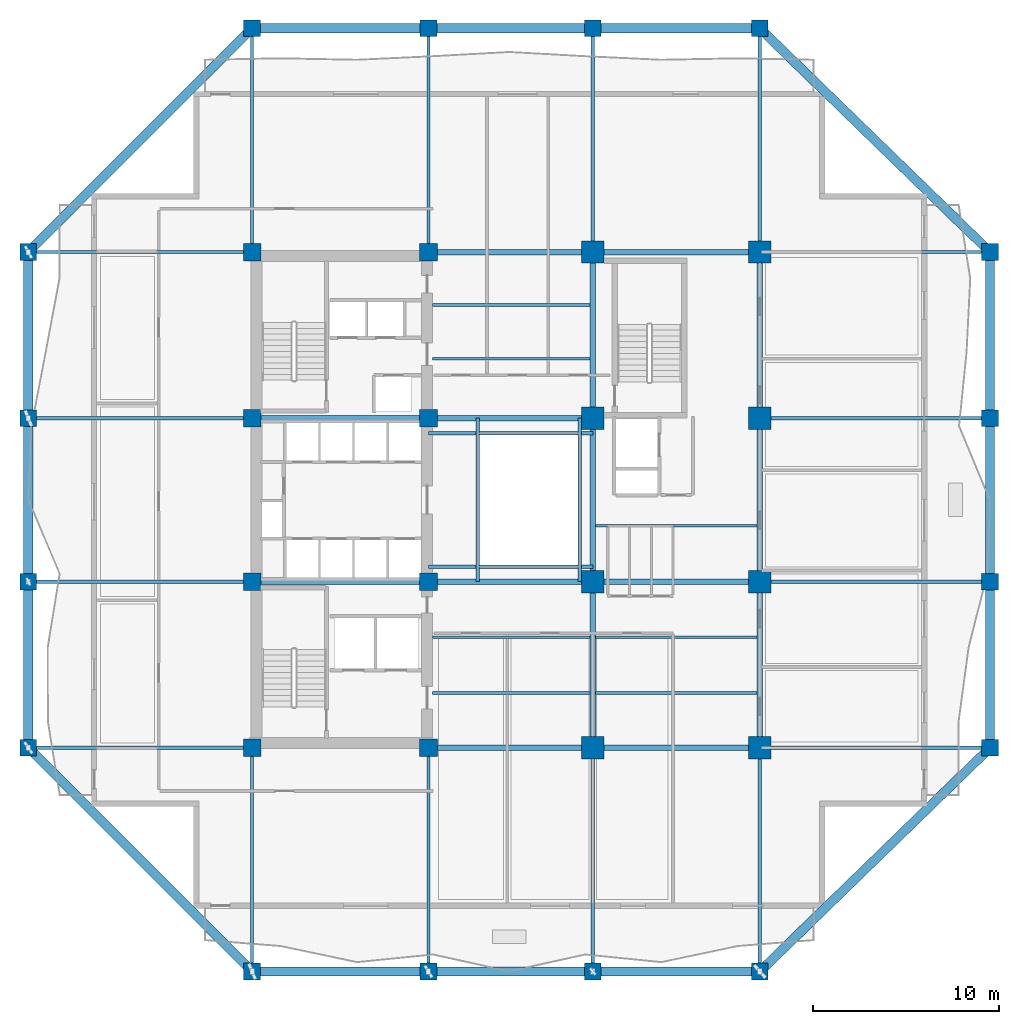
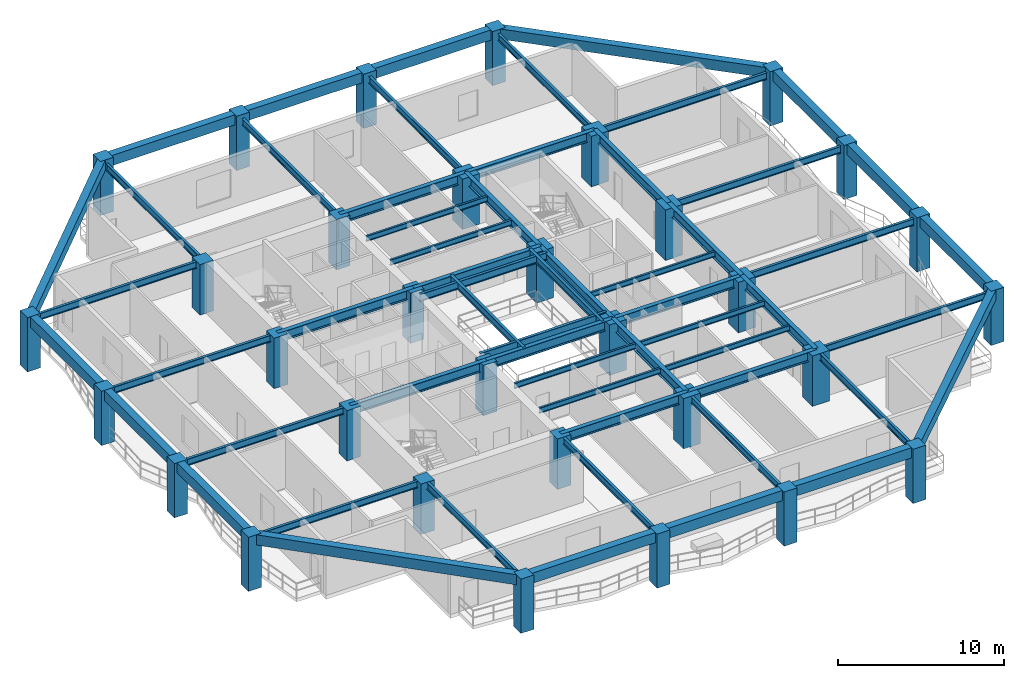
# One storey, part 1 of 13: 58 beams, 32 columns.
"""IFC4 building model written with IfcOpenShell, lengths in metres."""

from ifc_helpers import new_model, si_unit, direction, frame, origin, origin_2d, place, context, subcontext, project, spatial, rectangle, i_section, extrude, material, material_profile, profile_set, type_object, element, save


model = new_model("IFC4")

# Units and contexts
model_context = context("Model", 3, precision=1e-05, world=origin(), true_north=direction((0.0, 1.0)))
body_context = subcontext(model_context, "Body", "Model", "MODEL_VIEW")
ifc_project = project(units=[si_unit("LENGTHUNIT", "METRE"), si_unit("AREAUNIT", "SQUARE_METRE"), si_unit("VOLUMEUNIT", "CUBIC_METRE"), si_unit("PLANEANGLEUNIT", "RADIAN"), si_unit("MASSUNIT", "GRAM", prefix="KILO")], contexts=[model_context])

# Site, building, storey
site_placement = place(None, origin())
site = spatial("IfcSite", under=ifc_project, at=site_placement, CompositionType="ELEMENT")
building_placement = place(site_placement, origin())
building = spatial("IfcBuilding", under=site, at=building_placement, Name="Kundavana Baori Tower", CompositionType="ELEMENT")
storey_placement = place(building_placement, frame((0.0, 0.0, 54.0)))
storey = spatial("IfcBuildingStorey", under=building, at=storey_placement, Name="L12", CompositionType="ELEMENT", Elevation=54.0)

# Columns
ifc_material_1 = material(Name="Concrete C60/75", Category="concrete")
ifc_material_profile_1 = material_profile(ifc_material_1, rectangle(XDim=0.89990234375, YDim=0.89990234375, at=origin_2d()), Name="RC PF 900x900")
ifc_profile_set_1 = profile_set([ifc_material_profile_1], Name="Concrete C60/75")
column_type_1 = type_object("IfcColumnType", Name="COL-PF-900", PredefinedType="COLUMN", material=ifc_profile_set_1)
for number, where, z_axis, x_axis, name in (
    (1, (15.449951171875, 3.199951171875, 0.0), (0.0, 0.0, 1.0), (1.0, 0.0, 0.0), "L12 Stone-Clad Perimeter Frame Column PF-S1"),
    (2, (15.449951171875, 54.0, 0.0), (0.0, 0.0, 1.0), (1.0, 0.0, 0.0), "L12 Stone-Clad Perimeter Frame Column PF-N1"),
    (3, (24.949951171875, 3.199951171875, 0.0), (0.0, 0.0, 1.0), (1.0, 0.0, 0.0), "L12 Stone-Clad Perimeter Frame Column PF-S2"),
    (4, (24.949951171875, 54.0, 0.0), (0.0, 0.0, 1.0), (1.0, 0.0, 0.0), "L12 Stone-Clad Perimeter Frame Column PF-N2"),
    (5, (33.800048828125, 3.199951171875, 0.0), (0.0, 0.0, 1.0), (1.0, 0.0, 0.0), "L12 Stone-Clad Perimeter Frame Column PF-S3"),
    (6, (33.800048828125, 54.0, 0.0), (0.0, 0.0, 1.0), (1.0, 0.0, 0.0), "L12 Stone-Clad Perimeter Frame Column PF-N3"),
    (7, (42.800048828125, 3.199951171875, 0.0), (0.0, 0.0, 1.0), (1.0, 0.0, 0.0), "L12 Stone-Clad Perimeter Frame Column PF-S4"),
    (8, (42.800048828125, 54.0, 0.0), (0.0, 0.0, 1.0), (1.0, 0.0, 0.0), "L12 Stone-Clad Perimeter Frame Column PF-N4"),
    (9, (3.39990234375, 15.25, 0.0), (0.0, 0.0, 1.0), (1.0, 0.0, 0.0), "L12 Stone-Clad Perimeter Frame Column PF-W1"),
    (10, (55.199951171875, 15.25, 0.0), (0.0, 0.0, 1.0), (1.0, 0.0, 0.0), "L12 Stone-Clad Perimeter Frame Column PF-E1"),
    (11, (3.39990234375, 24.199951171875, 0.0), (0.0, 0.0, 1.0), (1.0, 0.0, 0.0), "L12 Stone-Clad Perimeter Frame Column PF-W2"),
    (12, (55.199951171875, 24.199951171875, 0.0), (0.0, 0.0, 1.0), (1.0, 0.0, 0.0), "L12 Stone-Clad Perimeter Frame Column PF-E2"),
    (13, (3.39990234375, 33.0, 0.0), (0.0, 0.0, 1.0), (1.0, 0.0, 0.0), "L12 Stone-Clad Perimeter Frame Column PF-W3"),
    (14, (55.199951171875, 33.0, 0.0), (0.0, 0.0, 1.0), (1.0, 0.0, 0.0), "L12 Stone-Clad Perimeter Frame Column PF-E3"),
    (15, (3.39990234375, 41.949951171875, 0.0), (0.0, 0.0, 1.0), (1.0, 0.0, 0.0), "L12 Stone-Clad Perimeter Frame Column PF-W4"),
    (16, (55.199951171875, 41.949951171875, 0.0), (0.0, 0.0, 1.0), (1.0, 0.0, 0.0), "L12 Stone-Clad Perimeter Frame Column PF-E4"),
):
    element("IfcColumn", number, at=place(storey_placement, frame(where, z_axis=z_axis, x_axis=x_axis)), inside=storey, type_object=column_type_1, Name=name, PredefinedType="COLUMN", context=body_context, shape_type="SweptSolid", body=[
        extrude(rectangle(XDim=0.89990234375, YDim=0.89990234375, at=origin_2d()), origin(), (0.0, 0.0, 1.0), 4.0),
    ])
ifc_material_2 = material(Name="Concrete C60/75", Category="concrete")
ifc_material_profile_2 = material_profile(ifc_material_2, rectangle(XDim=1.199951171875, YDim=1.199951171875, at=origin_2d()), Name="RC 1200x1200")
ifc_profile_set_2 = profile_set([ifc_material_profile_2], Name="Concrete C60/75")
column_type_2 = type_object("IfcColumnType", Name="COL-RC-1200", PredefinedType="COLUMN", material=ifc_profile_set_2)
for number, where, z_axis, x_axis, name in (
    (17, (33.800048828125, 15.25, 0.0), (0.0, 0.0, 1.0), (1.0, 0.0, 0.0), "L12 Interior Column IC-5C"),
    (18, (33.800048828125, 24.199951171875, 0.0), (0.0, 0.0, 1.0), (1.0, 0.0, 0.0), "L12 Interior Column IC-5D"),
    (19, (33.800048828125, 33.0, 0.0), (0.0, 0.0, 1.0), (1.0, 0.0, 0.0), "L12 Interior Column IC-5E"),
    (20, (33.800048828125, 41.949951171875, 0.0), (0.0, 0.0, 1.0), (1.0, 0.0, 0.0), "L12 Interior Column IC-5F"),
    (21, (42.800048828125, 15.25, 0.0), (0.0, 0.0, 1.0), (1.0, 0.0, 0.0), "L12 Interior Column IC-6C"),
    (22, (42.800048828125, 24.199951171875, 0.0), (0.0, 0.0, 1.0), (1.0, 0.0, 0.0), "L12 Interior Column IC-6D"),
    (23, (42.800048828125, 33.0, 0.0), (0.0, 0.0, 1.0), (1.0, 0.0, 0.0), "L12 Interior Column IC-6E"),
    (24, (42.800048828125, 41.949951171875, 0.0), (0.0, 0.0, 1.0), (1.0, 0.0, 0.0), "L12 Interior Column IC-6F"),
):
    element("IfcColumn", number, at=place(storey_placement, frame(where, z_axis=z_axis, x_axis=x_axis)), inside=storey, type_object=column_type_2, Name=name, PredefinedType="COLUMN", context=body_context, shape_type="SweptSolid", body=[
        extrude(rectangle(XDim=1.199951171875, YDim=1.199951171875, at=origin_2d()), origin(), (0.0, 0.0, 1.0), 3.719970703125),
    ])
ifc_material_3 = material(Name="Concrete C50/60", Category="concrete")
ifc_material_profile_3 = material_profile(ifc_material_3, rectangle(XDim=0.949951171875, YDim=0.949951171875, at=origin_2d()), Name="RC 950x950")
ifc_profile_set_3 = profile_set([ifc_material_profile_3], Name="Concrete C50/60")
column_type_3 = type_object("IfcColumnType", Name="COL-RC-950", PredefinedType="COLUMN", material=ifc_profile_set_3)
for number, where, z_axis, x_axis, name in (
    (25, (15.449951171875, 15.25, 0.0), (0.0, 0.0, 1.0), (1.0, 0.0, 0.0), "L12 Interior Column IC-3C"),
    (26, (15.449951171875, 24.199951171875, 0.0), (0.0, 0.0, 1.0), (1.0, 0.0, 0.0), "L12 Interior Column IC-3D"),
    (27, (15.449951171875, 33.0, 0.0), (0.0, 0.0, 1.0), (1.0, 0.0, 0.0), "L12 Interior Column IC-3E"),
    (28, (15.449951171875, 41.949951171875, 0.0), (0.0, 0.0, 1.0), (1.0, 0.0, 0.0), "L12 Interior Column IC-3F"),
    (29, (24.949951171875, 15.25, 0.0), (0.0, 0.0, 1.0), (1.0, 0.0, 0.0), "L12 Interior Column IC-4C"),
    (30, (24.949951171875, 24.199951171875, 0.0), (0.0, 0.0, 1.0), (1.0, 0.0, 0.0), "L12 Interior Column IC-4D"),
    (31, (24.949951171875, 33.0, 0.0), (0.0, 0.0, 1.0), (1.0, 0.0, 0.0), "L12 Interior Column IC-4E"),
    (32, (24.949951171875, 41.949951171875, 0.0), (0.0, 0.0, 1.0), (1.0, 0.0, 0.0), "L12 Interior Column IC-4F"),
):
    element("IfcColumn", number, at=place(storey_placement, frame(where, z_axis=z_axis, x_axis=x_axis)), inside=storey, type_object=column_type_3, Name=name, PredefinedType="COLUMN", context=body_context, shape_type="SweptSolid", body=[
        extrude(rectangle(XDim=0.949951171875, YDim=0.949951171875, at=origin_2d()), origin(), (0.0, 0.0, 1.0), 3.719970703125),
    ])

# Beams
ifc_material_4 = material(Name="Structural Steel S355JR", Category="steel")
ifc_material_profile_4 = material_profile(ifc_material_4, i_section(OverallWidth=0.139892578125, OverallDepth=0.39990234375, WebThickness=0.0087890625, FlangeThickness=0.01611328125, FilletRadius=0.013916015625, at=origin_2d()), Name="ISMB 400")
ifc_profile_set_4 = profile_set([ifc_material_profile_4], Name="Structural Steel S355JR")
beam_type_1 = type_object("IfcBeamType", Name="BM-JST-400", PredefinedType="JOIST", material=ifc_profile_set_4)
for number, where, z_axis, x_axis, name in (
    (33, (25.179931640625, 18.199951171875, 3.52001953125), (1.0, 0.0, 0.0), (0.0, 1.0, 0.0), "L12 Central Bay Composite Floor Joist C1"),
    (34, (25.179931640625, 21.199951171875, 3.52001953125), (1.0, 0.0, 0.0), (0.0, 1.0, 0.0), "L12 Central Bay Composite Floor Joist C2"),
    (35, (25.179931640625, 36.199951171875, 3.52001953125), (1.0, 0.0, 0.0), (0.0, 1.0, 0.0), "L12 Central Bay Composite Floor Joist C3"),
    (36, (25.179931640625, 39.10009765625, 3.52001953125), (1.0, 0.0, 0.0), (0.0, 1.0, 0.0), "L12 Central Bay Composite Floor Joist C4"),
):
    element("IfcBeam", number, at=place(storey_placement, frame(where, z_axis=z_axis, x_axis=x_axis)), inside=storey, type_object=beam_type_1, Name=name, PredefinedType="JOIST", context=body_context, shape_type="SweptSolid", body=[
        extrude(i_section(OverallWidth=0.139892578125, OverallDepth=0.39990234375, WebThickness=0.0087890625, FlangeThickness=0.01611328125, FilletRadius=0.013916015625, at=origin_2d()), origin(), (0.0, 0.0, 1.0), 8.469970703125),
    ])
for number, where, z_axis, x_axis, name in (
    (37, (33.949951171875, 18.199951171875, 3.52001953125), (1.0, 0.0, 0.0), (0.0, 1.0, 0.0), "L12 East Bay Composite Floor Joist E1"),
    (38, (33.949951171875, 21.199951171875, 3.52001953125), (1.0, 0.0, 0.0), (0.0, 1.0, 0.0), "L12 East Bay Composite Floor Joist E2"),
    (39, (33.949951171875, 27.199951171875, 3.52001953125), (1.0, 0.0, 0.0), (0.0, 1.0, 0.0), "L12 East Bay Composite Floor Joist E3"),
):
    element("IfcBeam", number, at=place(storey_placement, frame(where, z_axis=z_axis, x_axis=x_axis)), inside=storey, type_object=beam_type_1, Name=name, PredefinedType="JOIST", context=body_context, shape_type="SweptSolid", body=[
        extrude(i_section(OverallWidth=0.139892578125, OverallDepth=0.39990234375, WebThickness=0.0087890625, FlangeThickness=0.01611328125, FilletRadius=0.013916015625, at=origin_2d()), origin(), (0.0, 0.0, 1.0), 8.699951171875),
    ])
ifc_material_5 = material(Name="Concrete C50/60", Category="concrete")
ifc_material_profile_5 = material_profile(ifc_material_5, rectangle(XDim=0.5, YDim=0.75, at=origin_2d()), Name="RC BM 500x750")
ifc_profile_set_5 = profile_set([ifc_material_profile_5], Name="Concrete C50/60")
beam_type_2 = type_object("IfcBeamType", Name="BM-PF-750", PredefinedType="SPANDREL", material=ifc_profile_set_5)
beam_1_placement = place(storey_placement, frame((15.449951171875, 3.199951171875, 3.625), z_axis=(1.0, 0.0, 0.0), x_axis=(0.0, 1.0, 0.0)))
element("IfcBeam", 40, at=beam_1_placement, inside=storey, type_object=beam_type_2, Name="L12 Perimeter Frame Ring Beam S1", PredefinedType="SPANDREL", context=body_context, shape_type="SweptSolid", body=[
    extrude(rectangle(XDim=0.5, YDim=0.75, at=origin_2d()), origin(), (0.0, 0.0, 1.0), 9.5),
])
beam_2_placement = place(storey_placement, frame((24.949951171875, 3.199951171875, 3.625), z_axis=(1.0, 0.0, 0.0), x_axis=(0.0, 1.0, 0.0)))
element("IfcBeam", 41, at=beam_2_placement, inside=storey, type_object=beam_type_2, Name="L12 Perimeter Frame Ring Beam S2", PredefinedType="SPANDREL", context=body_context, shape_type="SweptSolid", body=[
    extrude(rectangle(XDim=0.5, YDim=0.75, at=origin_2d()), origin(), (0.0, 0.0, 1.0), 8.85009765625),
])
beam_3_placement = place(storey_placement, frame((33.800048828125, 3.199951171875, 3.625), z_axis=(1.0, 0.0, 0.0), x_axis=(0.0, 1.0, 0.0)))
element("IfcBeam", 42, at=beam_3_placement, inside=storey, type_object=beam_type_2, Name="L12 Perimeter Frame Ring Beam S3", PredefinedType="SPANDREL", context=body_context, shape_type="SweptSolid", body=[
    extrude(rectangle(XDim=0.5, YDim=0.75, at=origin_2d()), origin(), (0.0, 0.0, 1.0), 9.0),
])
beam_4_placement = place(storey_placement, frame((15.449951171875, 54.0, 3.625), z_axis=(1.0, 0.0, 0.0), x_axis=(0.0, 1.0, 0.0)))
element("IfcBeam", 43, at=beam_4_placement, inside=storey, type_object=beam_type_2, Name="L12 Perimeter Frame Ring Beam N1", PredefinedType="SPANDREL", context=body_context, shape_type="SweptSolid", body=[
    extrude(rectangle(XDim=0.5, YDim=0.75, at=origin_2d()), origin(), (0.0, 0.0, 1.0), 9.5),
])
beam_5_placement = place(storey_placement, frame((24.949951171875, 54.0, 3.625), z_axis=(1.0, 0.0, 0.0), x_axis=(0.0, 1.0, 0.0)))
element("IfcBeam", 44, at=beam_5_placement, inside=storey, type_object=beam_type_2, Name="L12 Perimeter Frame Ring Beam N2", PredefinedType="SPANDREL", context=body_context, shape_type="SweptSolid", body=[
    extrude(rectangle(XDim=0.5, YDim=0.75, at=origin_2d()), origin(), (0.0, 0.0, 1.0), 8.85009765625),
])
beam_6_placement = place(storey_placement, frame((33.800048828125, 54.0, 3.625), z_axis=(1.0, 0.0, 0.0), x_axis=(0.0, 1.0, 0.0)))
element("IfcBeam", 45, at=beam_6_placement, inside=storey, type_object=beam_type_2, Name="L12 Perimeter Frame Ring Beam N3", PredefinedType="SPANDREL", context=body_context, shape_type="SweptSolid", body=[
    extrude(rectangle(XDim=0.5, YDim=0.75, at=origin_2d()), origin(), (0.0, 0.0, 1.0), 9.0),
])
beam_7_placement = place(storey_placement, frame((3.39990234375, 15.25, 3.625), z_axis=(0.0, 1.0, 0.0), x_axis=(-1.0, 0.0, 0.0)))
element("IfcBeam", 46, at=beam_7_placement, inside=storey, type_object=beam_type_2, Name="L12 Perimeter Frame Ring Beam W1", PredefinedType="SPANDREL", context=body_context, shape_type="SweptSolid", body=[
    extrude(rectangle(XDim=0.5, YDim=0.75, at=origin_2d()), origin(), (0.0, 0.0, 1.0), 8.949951171875),
])
beam_8_placement = place(storey_placement, frame((3.39990234375, 24.199951171875, 3.625), z_axis=(0.0, 1.0, 0.0), x_axis=(-1.0, 0.0, 0.0)))
element("IfcBeam", 47, at=beam_8_placement, inside=storey, type_object=beam_type_2, Name="L12 Perimeter Frame Ring Beam W2", PredefinedType="SPANDREL", context=body_context, shape_type="SweptSolid", body=[
    extrude(rectangle(XDim=0.5, YDim=0.75, at=origin_2d()), origin(), (0.0, 0.0, 1.0), 8.800048828125),
])
for number, where, z_axis, x_axis, name in (
    (48, (3.39990234375, 33.0, 3.625), (0.0, 1.0, 0.0), (-1.0, 0.0, 0.0), "L12 Perimeter Frame Ring Beam W3"),
    (49, (55.199951171875, 15.25, 3.625), (0.0, 1.0, 0.0), (-1.0, 0.0, 0.0), "L12 Perimeter Frame Ring Beam E1"),
):
    element("IfcBeam", number, at=place(storey_placement, frame(where, z_axis=z_axis, x_axis=x_axis)), inside=storey, type_object=beam_type_2, Name=name, PredefinedType="SPANDREL", context=body_context, shape_type="SweptSolid", body=[
        extrude(rectangle(XDim=0.5, YDim=0.75, at=origin_2d()), origin(), (0.0, 0.0, 1.0), 8.949951171875),
    ])
beam_9_placement = place(storey_placement, frame((55.199951171875, 24.199951171875, 3.625), z_axis=(0.0, 1.0, 0.0), x_axis=(-1.0, 0.0, 0.0)))
element("IfcBeam", 50, at=beam_9_placement, inside=storey, type_object=beam_type_2, Name="L12 Perimeter Frame Ring Beam E2", PredefinedType="SPANDREL", context=body_context, shape_type="SweptSolid", body=[
    extrude(rectangle(XDim=0.5, YDim=0.75, at=origin_2d()), origin(), (0.0, 0.0, 1.0), 8.800048828125),
])
beam_10_placement = place(storey_placement, frame((55.199951171875, 33.0, 3.625), z_axis=(0.0, 1.0, 0.0), x_axis=(-1.0, 0.0, 0.0)))
element("IfcBeam", 51, at=beam_10_placement, inside=storey, type_object=beam_type_2, Name="L12 Perimeter Frame Ring Beam E3", PredefinedType="SPANDREL", context=body_context, shape_type="SweptSolid", body=[
    extrude(rectangle(XDim=0.5, YDim=0.75, at=origin_2d()), origin(), (0.0, 0.0, 1.0), 8.949951171875),
])
beam_11_placement = place(storey_placement, frame((15.449951171875, 3.199951171875, 3.625), z_axis=(-0.707106781187, 0.707106781187, 0.0), x_axis=(-0.707106781187, -0.707106781187, 0.0)))
element("IfcBeam", 52, at=beam_11_placement, inside=storey, type_object=beam_type_2, Name="L12 Notched Corner Perimeter Beam SW", PredefinedType="SPANDREL", context=body_context, shape_type="SweptSolid", body=[
    extrude(rectangle(XDim=0.5, YDim=0.75, at=origin_2d()), origin(), (0.0, 0.0, 1.0), 17.041259765625),
])
beam_12_placement = place(storey_placement, frame((42.800048828125, 3.199951171875, 3.625), z_axis=(0.717151334594, 0.696917472367, 0.0), x_axis=(-0.696917472367, 0.717151334594, 0.0)))
element("IfcBeam", 53, at=beam_12_placement, inside=storey, type_object=beam_type_2, Name="L12 Notched Corner Perimeter Beam SE", PredefinedType="SPANDREL", context=body_context, shape_type="SweptSolid", body=[
    extrude(rectangle(XDim=0.5, YDim=0.75, at=origin_2d()), origin(), (0.0, 0.0, 1.0), 17.29052734375),
])
beam_13_placement = place(storey_placement, frame((15.449951171875, 54.0, 3.625), z_axis=(-0.707106781187, -0.707106781187, 0.0), x_axis=(0.707106781187, -0.707106781187, 0.0)))
element("IfcBeam", 54, at=beam_13_placement, inside=storey, type_object=beam_type_2, Name="L12 Notched Corner Perimeter Beam NW", PredefinedType="SPANDREL", context=body_context, shape_type="SweptSolid", body=[
    extrude(rectangle(XDim=0.5, YDim=0.75, at=origin_2d()), origin(), (0.0, 0.0, 1.0), 17.041259765625),
])
beam_14_placement = place(storey_placement, frame((42.800048828125, 54.0, 3.625), z_axis=(0.717151334594, -0.696917472367, 0.0), x_axis=(0.696917472367, 0.717151334594, 0.0)))
element("IfcBeam", 55, at=beam_14_placement, inside=storey, type_object=beam_type_2, Name="L12 Notched Corner Perimeter Beam NE", PredefinedType="SPANDREL", context=body_context, shape_type="SweptSolid", body=[
    extrude(rectangle(XDim=0.5, YDim=0.75, at=origin_2d()), origin(), (0.0, 0.0, 1.0), 17.29052734375),
])
ifc_material_6 = material(Name="Structural Steel S355JR", Category="steel")
ifc_material_profile_6 = material_profile(ifc_material_6, i_section(OverallWidth=0.18994140625, OverallDepth=0.550048828125, WebThickness=0.01123046875, FlangeThickness=0.019287109375, FilletRadius=0.01806640625, at=origin_2d()), Name="ISMB 550")
ifc_profile_set_6 = profile_set([ifc_material_profile_6], Name="Structural Steel S355JR")
beam_type_3 = type_object("IfcBeamType", Name="BM-ST-550", PredefinedType="BEAM", material=ifc_profile_set_6)
for number, where, z_axis, x_axis, name in (
    (56, (27.60009765625, 24.199951171875, 3.445068359375), (0.0, 1.0, 0.0), (-1.0, 0.0, 0.0), "L12 Atrium West Edge Beam"),
    (57, (33.10009765625, 24.199951171875, 3.445068359375), (0.0, 1.0, 0.0), (-1.0, 0.0, 0.0), "L12 Atrium East Edge Beam"),
):
    element("IfcBeam", number, at=place(storey_placement, frame(where, z_axis=z_axis, x_axis=x_axis)), inside=storey, type_object=beam_type_3, Name=name, PredefinedType="BEAM", context=body_context, shape_type="SweptSolid", body=[
        extrude(i_section(OverallWidth=0.18994140625, OverallDepth=0.550048828125, WebThickness=0.01123046875, FlangeThickness=0.019287109375, FilletRadius=0.01806640625, at=origin_2d()), origin(), (0.0, 0.0, 1.0), 8.800048828125),
    ])
for number, where, z_axis, x_axis, name in (
    (58, (24.949951171875, 25.0, 3.445068359375), (1.0, 0.0, 0.0), (0.0, 1.0, 0.0), "L12 Atrium South Edge Beam"),
    (59, (24.949951171875, 32.199951171875, 3.445068359375), (1.0, 0.0, 0.0), (0.0, 1.0, 0.0), "L12 Atrium North Edge Beam"),
):
    element("IfcBeam", number, at=place(storey_placement, frame(where, z_axis=z_axis, x_axis=x_axis)), inside=storey, type_object=beam_type_3, Name=name, PredefinedType="BEAM", context=body_context, shape_type="SweptSolid", body=[
        extrude(i_section(OverallWidth=0.18994140625, OverallDepth=0.550048828125, WebThickness=0.01123046875, FlangeThickness=0.019287109375, FilletRadius=0.01806640625, at=origin_2d()), origin(), (0.0, 0.0, 1.0), 8.85009765625),
    ])
ifc_material_7 = material(Name="Structural Steel S355JR", Category="steel")
ifc_material_profile_7 = material_profile(ifc_material_7, i_section(OverallWidth=0.300048828125, OverallDepth=0.699951171875, WebThickness=0.014404296875, FlangeThickness=0.02392578125, FilletRadius=0.02392578125, at=origin_2d()), Name="NPB 700x300x170")
ifc_profile_set_7 = profile_set([ifc_material_profile_7], Name="Structural Steel S355JR")
beam_type_4 = type_object("IfcBeamType", Name="BM-ST-700", PredefinedType="BEAM", material=ifc_profile_set_7)
beam_15_placement = place(storey_placement, frame((24.949951171875, 15.25, 3.3701171875), z_axis=(1.0, 0.0, 0.0), x_axis=(0.0, 1.0, 0.0)))
element("IfcBeam", 60, at=beam_15_placement, inside=storey, type_object=beam_type_4, Name="L12 Primary Grid Girder GX-1-2", PredefinedType="BEAM", context=body_context, shape_type="SweptSolid", body=[
    extrude(i_section(OverallWidth=0.300048828125, OverallDepth=0.699951171875, WebThickness=0.014404296875, FlangeThickness=0.02392578125, FilletRadius=0.02392578125, at=origin_2d()), origin(), (0.0, 0.0, 1.0), 8.85009765625),
])
beam_16_placement = place(storey_placement, frame((33.800048828125, 15.25, 3.3701171875), z_axis=(1.0, 0.0, 0.0), x_axis=(0.0, 1.0, 0.0)))
element("IfcBeam", 61, at=beam_16_placement, inside=storey, type_object=beam_type_4, Name="L12 Primary Grid Girder GX-1-3", PredefinedType="BEAM", context=body_context, shape_type="SweptSolid", body=[
    extrude(i_section(OverallWidth=0.300048828125, OverallDepth=0.699951171875, WebThickness=0.014404296875, FlangeThickness=0.02392578125, FilletRadius=0.02392578125, at=origin_2d()), origin(), (0.0, 0.0, 1.0), 9.0),
])
beam_17_placement = place(storey_placement, frame((15.449951171875, 24.199951171875, 3.3701171875), z_axis=(1.0, 0.0, 0.0), x_axis=(0.0, 1.0, 0.0)))
element("IfcBeam", 62, at=beam_17_placement, inside=storey, type_object=beam_type_4, Name="L12 Primary Grid Girder GX-2-1", PredefinedType="BEAM", context=body_context, shape_type="SweptSolid", body=[
    extrude(i_section(OverallWidth=0.300048828125, OverallDepth=0.699951171875, WebThickness=0.014404296875, FlangeThickness=0.02392578125, FilletRadius=0.02392578125, at=origin_2d()), origin(), (0.0, 0.0, 1.0), 9.5),
])
beam_18_placement = place(storey_placement, frame((24.949951171875, 24.199951171875, 3.3701171875), z_axis=(1.0, 0.0, 0.0), x_axis=(0.0, 1.0, 0.0)))
element("IfcBeam", 63, at=beam_18_placement, inside=storey, type_object=beam_type_4, Name="L12 Primary Grid Girder GX-2-2", PredefinedType="BEAM", context=body_context, shape_type="SweptSolid", body=[
    extrude(i_section(OverallWidth=0.300048828125, OverallDepth=0.699951171875, WebThickness=0.014404296875, FlangeThickness=0.02392578125, FilletRadius=0.02392578125, at=origin_2d()), origin(), (0.0, 0.0, 1.0), 8.85009765625),
])
beam_19_placement = place(storey_placement, frame((33.800048828125, 24.199951171875, 3.3701171875), z_axis=(1.0, 0.0, 0.0), x_axis=(0.0, 1.0, 0.0)))
element("IfcBeam", 64, at=beam_19_placement, inside=storey, type_object=beam_type_4, Name="L12 Primary Grid Girder GX-2-3", PredefinedType="BEAM", context=body_context, shape_type="SweptSolid", body=[
    extrude(i_section(OverallWidth=0.300048828125, OverallDepth=0.699951171875, WebThickness=0.014404296875, FlangeThickness=0.02392578125, FilletRadius=0.02392578125, at=origin_2d()), origin(), (0.0, 0.0, 1.0), 9.0),
])
beam_20_placement = place(storey_placement, frame((15.449951171875, 33.0, 3.3701171875), z_axis=(1.0, 0.0, 0.0), x_axis=(0.0, 1.0, 0.0)))
element("IfcBeam", 65, at=beam_20_placement, inside=storey, type_object=beam_type_4, Name="L12 Primary Grid Girder GX-3-1", PredefinedType="BEAM", context=body_context, shape_type="SweptSolid", body=[
    extrude(i_section(OverallWidth=0.300048828125, OverallDepth=0.699951171875, WebThickness=0.014404296875, FlangeThickness=0.02392578125, FilletRadius=0.02392578125, at=origin_2d()), origin(), (0.0, 0.0, 1.0), 9.5),
])
for number, where, z_axis, x_axis, name in (
    (66, (24.949951171875, 33.0, 3.3701171875), (1.0, 0.0, 0.0), (0.0, 1.0, 0.0), "L12 Primary Grid Girder GX-3-2"),
    (67, (24.949951171875, 41.949951171875, 3.3701171875), (1.0, 0.0, 0.0), (0.0, 1.0, 0.0), "L12 Primary Grid Girder GX-4-2"),
):
    element("IfcBeam", number, at=place(storey_placement, frame(where, z_axis=z_axis, x_axis=x_axis)), inside=storey, type_object=beam_type_4, Name=name, PredefinedType="BEAM", context=body_context, shape_type="SweptSolid", body=[
        extrude(i_section(OverallWidth=0.300048828125, OverallDepth=0.699951171875, WebThickness=0.014404296875, FlangeThickness=0.02392578125, FilletRadius=0.02392578125, at=origin_2d()), origin(), (0.0, 0.0, 1.0), 8.85009765625),
    ])
beam_21_placement = place(storey_placement, frame((33.800048828125, 41.949951171875, 3.3701171875), z_axis=(1.0, 0.0, 0.0), x_axis=(0.0, 1.0, 0.0)))
element("IfcBeam", 68, at=beam_21_placement, inside=storey, type_object=beam_type_4, Name="L12 Primary Grid Girder GX-4-3", PredefinedType="BEAM", context=body_context, shape_type="SweptSolid", body=[
    extrude(i_section(OverallWidth=0.300048828125, OverallDepth=0.699951171875, WebThickness=0.014404296875, FlangeThickness=0.02392578125, FilletRadius=0.02392578125, at=origin_2d()), origin(), (0.0, 0.0, 1.0), 9.0),
])
beam_22_placement = place(storey_placement, frame((33.800048828125, 15.25, 3.3701171875), z_axis=(0.0, 1.0, 0.0), x_axis=(-1.0, 0.0, 0.0)))
element("IfcBeam", 69, at=beam_22_placement, inside=storey, type_object=beam_type_4, Name="L12 Primary Grid Girder GY-3-1", PredefinedType="BEAM", context=body_context, shape_type="SweptSolid", body=[
    extrude(i_section(OverallWidth=0.300048828125, OverallDepth=0.699951171875, WebThickness=0.014404296875, FlangeThickness=0.02392578125, FilletRadius=0.02392578125, at=origin_2d()), origin(), (0.0, 0.0, 1.0), 8.949951171875),
])
beam_23_placement = place(storey_placement, frame((33.800048828125, 24.199951171875, 3.3701171875), z_axis=(0.0, 1.0, 0.0), x_axis=(-1.0, 0.0, 0.0)))
element("IfcBeam", 70, at=beam_23_placement, inside=storey, type_object=beam_type_4, Name="L12 Primary Grid Girder GY-3-2", PredefinedType="BEAM", context=body_context, shape_type="SweptSolid", body=[
    extrude(i_section(OverallWidth=0.300048828125, OverallDepth=0.699951171875, WebThickness=0.014404296875, FlangeThickness=0.02392578125, FilletRadius=0.02392578125, at=origin_2d()), origin(), (0.0, 0.0, 1.0), 8.800048828125),
])
for number, where, z_axis, x_axis, name in (
    (71, (33.800048828125, 33.0, 3.3701171875), (0.0, 1.0, 0.0), (-1.0, 0.0, 0.0), "L12 Primary Grid Girder GY-3-3"),
    (72, (42.800048828125, 15.25, 3.3701171875), (0.0, 1.0, 0.0), (-1.0, 0.0, 0.0), "L12 Primary Grid Girder GY-4-1"),
):
    element("IfcBeam", number, at=place(storey_placement, frame(where, z_axis=z_axis, x_axis=x_axis)), inside=storey, type_object=beam_type_4, Name=name, PredefinedType="BEAM", context=body_context, shape_type="SweptSolid", body=[
        extrude(i_section(OverallWidth=0.300048828125, OverallDepth=0.699951171875, WebThickness=0.014404296875, FlangeThickness=0.02392578125, FilletRadius=0.02392578125, at=origin_2d()), origin(), (0.0, 0.0, 1.0), 8.949951171875),
    ])
beam_24_placement = place(storey_placement, frame((42.800048828125, 24.199951171875, 3.3701171875), z_axis=(0.0, 1.0, 0.0), x_axis=(-1.0, 0.0, 0.0)))
element("IfcBeam", 73, at=beam_24_placement, inside=storey, type_object=beam_type_4, Name="L12 Primary Grid Girder GY-4-2", PredefinedType="BEAM", context=body_context, shape_type="SweptSolid", body=[
    extrude(i_section(OverallWidth=0.300048828125, OverallDepth=0.699951171875, WebThickness=0.014404296875, FlangeThickness=0.02392578125, FilletRadius=0.02392578125, at=origin_2d()), origin(), (0.0, 0.0, 1.0), 8.800048828125),
])
beam_25_placement = place(storey_placement, frame((42.800048828125, 33.0, 3.3701171875), z_axis=(0.0, 1.0, 0.0), x_axis=(-1.0, 0.0, 0.0)))
element("IfcBeam", 74, at=beam_25_placement, inside=storey, type_object=beam_type_4, Name="L12 Primary Grid Girder GY-4-3", PredefinedType="BEAM", context=body_context, shape_type="SweptSolid", body=[
    extrude(i_section(OverallWidth=0.300048828125, OverallDepth=0.699951171875, WebThickness=0.014404296875, FlangeThickness=0.02392578125, FilletRadius=0.02392578125, at=origin_2d()), origin(), (0.0, 0.0, 1.0), 8.949951171875),
])
ifc_material_8 = material(Name="Structural Steel S355JR", Category="steel")
ifc_material_profile_8 = material_profile(ifc_material_8, i_section(OverallWidth=0.179931640625, OverallDepth=0.5, WebThickness=0.01025390625, FlangeThickness=0.01708984375, FilletRadius=0.01708984375, at=origin_2d()), Name="ISMB 500")
ifc_profile_set_8 = profile_set([ifc_material_profile_8], Name="Structural Steel S355JR")
beam_type_5 = type_object("IfcBeamType", Name="BM-TIE-500", PredefinedType="BEAM", material=ifc_profile_set_8)
for number, where, z_axis, x_axis, name in (
    (75, (15.449951171875, 15.25, 3.469970703125), (0.0, -1.0, 0.0), (1.0, 0.0, 0.0), "L12 South Radial Loggia Tie Beam S1"),
    (76, (15.449951171875, 41.949951171875, 3.469970703125), (0.0, 1.0, 0.0), (-1.0, 0.0, 0.0), "L12 North Radial Loggia Tie Beam N1"),
    (77, (24.949951171875, 15.25, 3.469970703125), (0.0, -1.0, 0.0), (1.0, 0.0, 0.0), "L12 South Radial Loggia Tie Beam S2"),
    (78, (24.949951171875, 41.949951171875, 3.469970703125), (0.0, 1.0, 0.0), (-1.0, 0.0, 0.0), "L12 North Radial Loggia Tie Beam N2"),
    (79, (33.800048828125, 15.25, 3.469970703125), (0.0, -1.0, 0.0), (1.0, 0.0, 0.0), "L12 South Radial Loggia Tie Beam S3"),
    (80, (33.800048828125, 41.949951171875, 3.469970703125), (0.0, 1.0, 0.0), (-1.0, 0.0, 0.0), "L12 North Radial Loggia Tie Beam N3"),
    (81, (42.800048828125, 15.25, 3.469970703125), (0.0, -1.0, 0.0), (1.0, 0.0, 0.0), "L12 South Radial Loggia Tie Beam S4"),
    (82, (42.800048828125, 41.949951171875, 3.469970703125), (0.0, 1.0, 0.0), (-1.0, 0.0, 0.0), "L12 North Radial Loggia Tie Beam N4"),
    (83, (15.449951171875, 15.25, 3.469970703125), (-1.0, 0.0, 0.0), (0.0, -1.0, 0.0), "L12 West Radial Loggia Tie Beam W1"),
):
    element("IfcBeam", number, at=place(storey_placement, frame(where, z_axis=z_axis, x_axis=x_axis)), inside=storey, type_object=beam_type_5, Name=name, PredefinedType="BEAM", context=body_context, shape_type="SweptSolid", body=[
        extrude(i_section(OverallWidth=0.179931640625, OverallDepth=0.5, WebThickness=0.01025390625, FlangeThickness=0.01708984375, FilletRadius=0.01708984375, at=origin_2d()), origin(), (0.0, 0.0, 1.0), 12.050048828125),
    ])
beam_26_placement = place(storey_placement, frame((42.800048828125, 15.25, 3.469970703125), z_axis=(1.0, 0.0, 0.0), x_axis=(0.0, 1.0, 0.0)))
element("IfcBeam", 84, at=beam_26_placement, inside=storey, type_object=beam_type_5, Name="L12 East Radial Loggia Tie Beam E1", PredefinedType="BEAM", context=body_context, shape_type="SweptSolid", body=[
    extrude(i_section(OverallWidth=0.179931640625, OverallDepth=0.5, WebThickness=0.01025390625, FlangeThickness=0.01708984375, FilletRadius=0.01708984375, at=origin_2d()), origin(), (0.0, 0.0, 1.0), 12.39990234375),
])
beam_27_placement = place(storey_placement, frame((15.449951171875, 24.199951171875, 3.469970703125), z_axis=(-1.0, 0.0, 0.0), x_axis=(0.0, -1.0, 0.0)))
element("IfcBeam", 85, at=beam_27_placement, inside=storey, type_object=beam_type_5, Name="L12 West Radial Loggia Tie Beam W2", PredefinedType="BEAM", context=body_context, shape_type="SweptSolid", body=[
    extrude(i_section(OverallWidth=0.179931640625, OverallDepth=0.5, WebThickness=0.01025390625, FlangeThickness=0.01708984375, FilletRadius=0.01708984375, at=origin_2d()), origin(), (0.0, 0.0, 1.0), 12.050048828125),
])
beam_28_placement = place(storey_placement, frame((42.800048828125, 24.199951171875, 3.469970703125), z_axis=(1.0, 0.0, 0.0), x_axis=(0.0, 1.0, 0.0)))
element("IfcBeam", 86, at=beam_28_placement, inside=storey, type_object=beam_type_5, Name="L12 East Radial Loggia Tie Beam E2", PredefinedType="BEAM", context=body_context, shape_type="SweptSolid", body=[
    extrude(i_section(OverallWidth=0.179931640625, OverallDepth=0.5, WebThickness=0.01025390625, FlangeThickness=0.01708984375, FilletRadius=0.01708984375, at=origin_2d()), origin(), (0.0, 0.0, 1.0), 12.39990234375),
])
beam_29_placement = place(storey_placement, frame((15.449951171875, 33.0, 3.469970703125), z_axis=(-1.0, 0.0, 0.0), x_axis=(0.0, -1.0, 0.0)))
element("IfcBeam", 87, at=beam_29_placement, inside=storey, type_object=beam_type_5, Name="L12 West Radial Loggia Tie Beam W3", PredefinedType="BEAM", context=body_context, shape_type="SweptSolid", body=[
    extrude(i_section(OverallWidth=0.179931640625, OverallDepth=0.5, WebThickness=0.01025390625, FlangeThickness=0.01708984375, FilletRadius=0.01708984375, at=origin_2d()), origin(), (0.0, 0.0, 1.0), 12.050048828125),
])
beam_30_placement = place(storey_placement, frame((42.800048828125, 33.0, 3.469970703125), z_axis=(1.0, 0.0, 0.0), x_axis=(0.0, 1.0, 0.0)))
element("IfcBeam", 88, at=beam_30_placement, inside=storey, type_object=beam_type_5, Name="L12 East Radial Loggia Tie Beam E3", PredefinedType="BEAM", context=body_context, shape_type="SweptSolid", body=[
    extrude(i_section(OverallWidth=0.179931640625, OverallDepth=0.5, WebThickness=0.01025390625, FlangeThickness=0.01708984375, FilletRadius=0.01708984375, at=origin_2d()), origin(), (0.0, 0.0, 1.0), 12.39990234375),
])
beam_31_placement = place(storey_placement, frame((15.449951171875, 41.949951171875, 3.469970703125), z_axis=(-1.0, 0.0, 0.0), x_axis=(0.0, -1.0, 0.0)))
element("IfcBeam", 89, at=beam_31_placement, inside=storey, type_object=beam_type_5, Name="L12 West Radial Loggia Tie Beam W4", PredefinedType="BEAM", context=body_context, shape_type="SweptSolid", body=[
    extrude(i_section(OverallWidth=0.179931640625, OverallDepth=0.5, WebThickness=0.01025390625, FlangeThickness=0.01708984375, FilletRadius=0.01708984375, at=origin_2d()), origin(), (0.0, 0.0, 1.0), 12.050048828125),
])
beam_32_placement = place(storey_placement, frame((42.800048828125, 41.949951171875, 3.469970703125), z_axis=(1.0, 0.0, 0.0), x_axis=(0.0, 1.0, 0.0)))
element("IfcBeam", 90, at=beam_32_placement, inside=storey, type_object=beam_type_5, Name="L12 East Radial Loggia Tie Beam E4", PredefinedType="BEAM", context=body_context, shape_type="SweptSolid", body=[
    extrude(i_section(OverallWidth=0.179931640625, OverallDepth=0.5, WebThickness=0.01025390625, FlangeThickness=0.01708984375, FilletRadius=0.01708984375, at=origin_2d()), origin(), (0.0, 0.0, 1.0), 12.39990234375),
])

save(model, "model.ifc")
